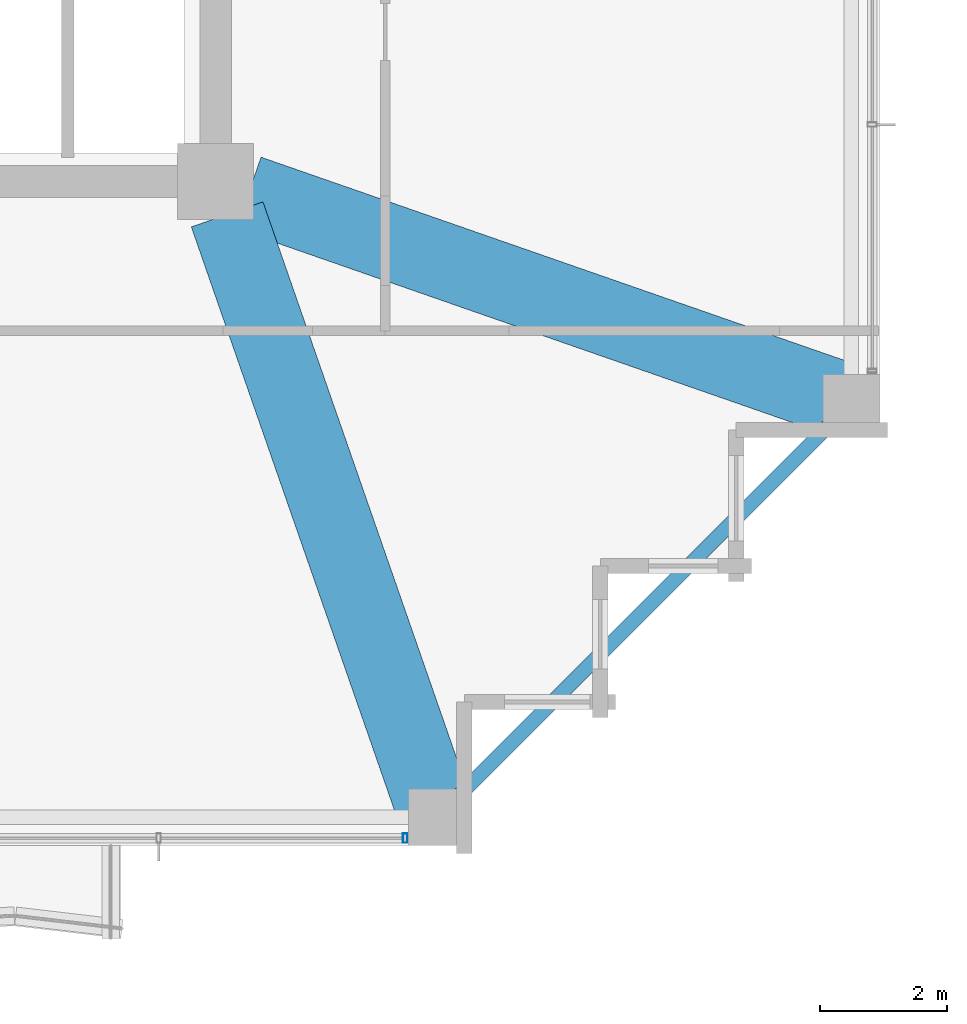
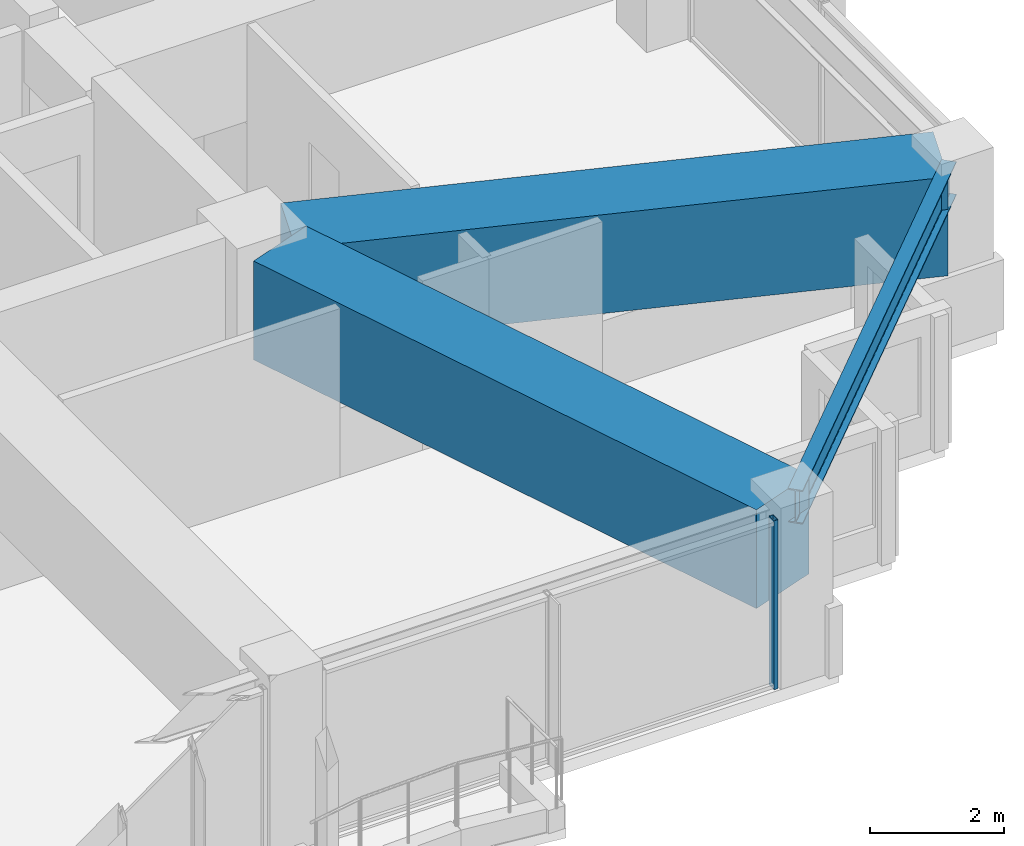
# One storey, part 12 of 37: 3 beams, 1 member, 1 element without a shape of its own.
"""IFC4 building model written with IfcOpenShell, lengths in metres."""

from ifc_helpers import new_model, si_unit, direction, frame, origin, origin_2d, place, context, subcontext, project, spatial, rectangle, hollow_rectangle, i_section, extrude, material, material_profile, profile_set, type_object, element, aggregate, save


model = new_model("IFC4")

# Units and contexts
model_context = context("Model", 3, precision=1e-05, world=origin(), true_north=direction((0.0, 1.0)))
body_context = subcontext(model_context, "Body", "Model", "MODEL_VIEW")
ifc_project = project(units=[si_unit("LENGTHUNIT", "METRE"), si_unit("AREAUNIT", "SQUARE_METRE"), si_unit("VOLUMEUNIT", "CUBIC_METRE"), si_unit("PLANEANGLEUNIT", "RADIAN"), si_unit("MASSUNIT", "GRAM", prefix="KILO")], contexts=[model_context])

# Site, building, storey
site_placement = place(None, origin())
site = spatial("IfcSite", under=ifc_project, at=site_placement, CompositionType="ELEMENT")
building_placement = place(site_placement, origin())
building = spatial("IfcBuilding", under=site, at=building_placement, Name="Kolvaren Belvedere", CompositionType="ELEMENT")
storey_placement = place(building_placement, frame((0.0, 0.0, 186.60009765625)))
storey = spatial("IfcBuildingStorey", under=building, at=storey_placement, Name="L54", CompositionType="ELEMENT", Elevation=186.60009765625)

# Beams
ifc_material_1 = material(Name="Structural steel ASTM A992 Grade 50", Category="steel")
ifc_material_profile_1 = material_profile(ifc_material_1, i_section(OverallWidth=0.22900390625, OverallDepth=0.612060546875, WebThickness=0.011962890625, FlangeThickness=0.01953125, FilletRadius=0.01806640625, at=origin_2d()), Name="W24X84")
ifc_profile_set_1 = profile_set([ifc_material_profile_1], Name="Structural steel ASTM A992 Grade 50")
beam_type_1 = type_object("IfcBeamType", Name="BM-SPAN-W24X84", PredefinedType="SPANDREL", material=ifc_profile_set_1)
beam_placement = place(storey_placement, frame((13.543212890625, -19.806884765625, 2.77392578125), z_axis=(0.707106781187, 0.707106781187, 0.0), x_axis=(-0.707106781187, 0.707106781187, 0.0)))
element("IfcBeam", 1, at=beam_placement, inside=storey, type_object=beam_type_1, Name="L54 Perimeter Spandrel S4-E1", PredefinedType="SPANDREL", context=body_context, shape_type="SweptSolid", body=[
    extrude(i_section(OverallWidth=0.22900390625, OverallDepth=0.612060546875, WebThickness=0.011962890625, FlangeThickness=0.01953125, FilletRadius=0.01806640625, at=origin_2d()), origin(), (0.0, 0.0, 1.0), 8.858154296875),
])
ifc_material_2 = material(Name="Concrete C50/60", Category="concrete")
ifc_material_profile_2 = material_profile(ifc_material_2, rectangle(XDim=1.199951171875, YDim=1.800048828125, at=origin_2d()), Name="RC 1200X1800")
ifc_profile_set_2 = profile_set([ifc_material_profile_2], Name="Concrete C50/60")
beam_type_2 = type_object("IfcBeamType", Name="BM-TG-1800", PredefinedType="BEAM", material=ifc_profile_set_2)
for number, where, z_axis, x_axis, name in (
    (2, (10.080810546875, -10.41943359375, 2.179931640625), (0.328894130701, -0.944366798861, 0.0), (0.944366798861, 0.328894130701, 0.0), "L54 Corner Core-to-Perimeter Girder CC2-S4"),
    (3, (10.41943359375, -10.080810546875, 2.179931640625), (0.944366798861, -0.328894130701, 0.0), (0.328894130701, 0.944366798861, 0.0), "L54 Corner Core-to-Perimeter Girder CC2-E1"),
):
    element("IfcBeam", number, at=place(storey_placement, frame(where, z_axis=z_axis, x_axis=x_axis)), inside=storey, type_object=beam_type_2, Name=name, PredefinedType="BEAM", context=body_context, shape_type="SweptSolid", body=[
        extrude(rectangle(XDim=1.199951171875, YDim=1.800048828125, at=origin_2d()), origin(), (0.0, 0.0, 1.0), 9.912109375),
    ])

# Curtain wall, member
ifc_material_3 = material(Name="Anodised pale-metal aluminium AA 6063-T6", Category="aluminium")
curtain_wall_type = type_object("IfcCurtainWallType", Name="CW-Z5-HIGH", PredefinedType="NOTDEFINED", material=ifc_material_3)
curtain_wall_placement = place(storey_placement, origin())
curtain_wall = element("IfcCurtainWall", 4, at=curtain_wall_placement, inside=storey, type_object=curtain_wall_type, Name="L54 Unitised Curtain Wall FCW-L54-S1-B1", PredefinedType="NOTDEFINED")
ifc_material_4 = material(Name="Anodised pale-metal aluminium AA 6063-T6", Category="aluminium")
ifc_material_profile_3 = material_profile(ifc_material_4, hollow_rectangle(XDim=0.070068359375, YDim=0.14990234375, WallThickness=0.004150390625, at=origin_2d()), Name="ALU-MUL-150X70")
ifc_profile_set_3 = profile_set([ifc_material_profile_3], Name="Anodised pale-metal aluminium AA 6063-T6")
member_type = type_object("IfcMemberType", Name="CW-MUL-150", PredefinedType="MULLION", material=ifc_profile_set_3)
member_placement = place(storey_placement, frame((12.89501953125, -20.280029296875, 0.0), z_axis=(0.0, 0.0, 1.0), x_axis=(1.0, 0.0, 0.0)))
member = element("IfcMember", 5, at=member_placement, type_object=member_type, Name="FCW-L54-S1-B1 Unitised Mullion 1", PredefinedType="MULLION", context=body_context, shape_type="SweptSolid", body=[
    extrude(hollow_rectangle(XDim=0.070068359375, YDim=0.14990234375, WallThickness=0.004150390625, at=origin_2d()), origin(), (0.0, 0.0, 1.0), 3.079833984375),
])
aggregate(curtain_wall, [member])

save(model, "model.ifc")
